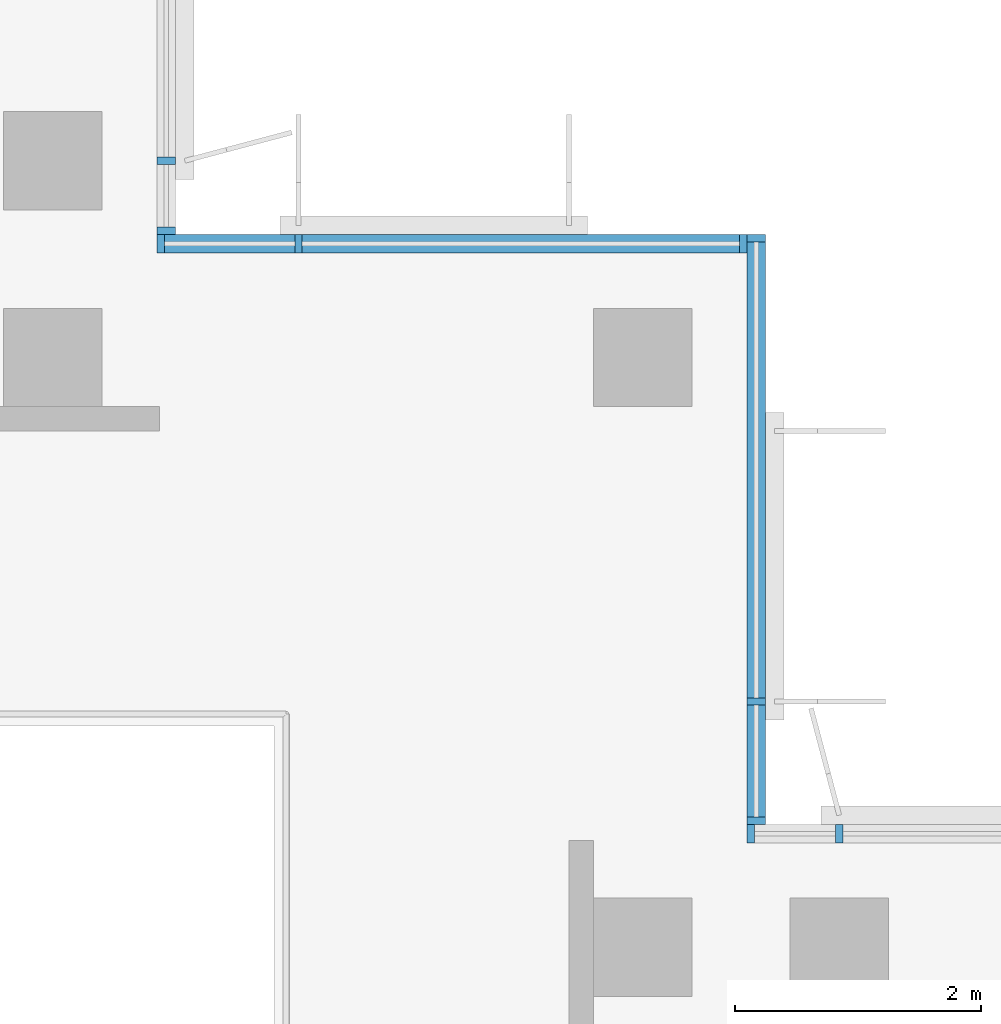
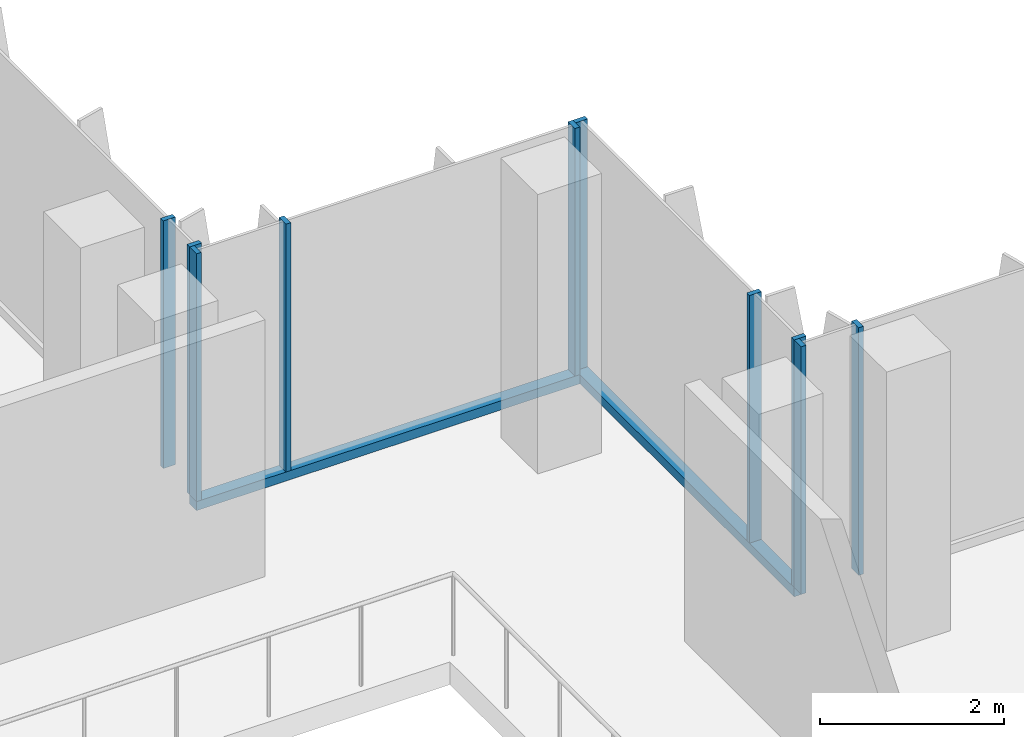
# One storey, part 2 of 15: 12 members, 4 elements without a shape of their own.
"""IFC4 building model written with IfcOpenShell, lengths in metres."""

from ifc_helpers import new_model, si_unit, direction, frame, origin, origin_2d, place, context, subcontext, project, spatial, rectangle, extrude, source, transform, mapped, material, material_profile, profile_set, type_object, element, aggregate, save


model = new_model("IFC4")

# Units and contexts
model_context = context("Model", 3, precision=1e-05, world=origin(), true_north=direction((0.0, 1.0)))
body_context = subcontext(model_context, "Body", "Model", "MODEL_VIEW")
ifc_project = project(units=[si_unit("LENGTHUNIT", "METRE"), si_unit("AREAUNIT", "SQUARE_METRE"), si_unit("VOLUMEUNIT", "CUBIC_METRE"), si_unit("PLANEANGLEUNIT", "RADIAN"), si_unit("MASSUNIT", "GRAM", prefix="KILO")], contexts=[model_context])

# Site, building, storey
site_placement = place(None, origin())
site = spatial("IfcSite", under=ifc_project, at=site_placement, CompositionType="ELEMENT")
building_placement = place(site_placement, origin())
building = spatial("IfcBuilding", under=site, at=building_placement, Name="Kemantara Hotel Tower", CompositionType="ELEMENT")
storey_placement = place(building_placement, frame((0.0, 0.0, 237.60009765625)))
storey = spatial("IfcBuildingStorey", under=building, at=storey_placement, Name="L59", CompositionType="ELEMENT", Elevation=237.60009765625)

# Curtain wall, member
ifc_material_1 = material(Name="Low-E tinted double insulated glass 36 mm", Category="glass")
curtain_wall_type = type_object("IfcCurtainWallType", Name="TOWER CURTAIN WALL, FRONT FACES", PredefinedType="USERDEFINED", material=ifc_material_1)
curtain_wall_1_placement = place(storey_placement, origin())
curtain_wall_1 = element("IfcCurtainWall", 1, at=curtain_wall_1_placement, inside=storey, type_object=curtain_wall_type, Name="CW4 L59 T4-R13-1", ObjectType="TOWER CURTAIN WALL, FRONT FACES", PredefinedType="USERDEFINED")
ifc_material_2 = material(Name="Aluminium 6063-T6 bronze anodised", Category="aluminium")
ifc_material_profile_1 = material_profile(ifc_material_2, rectangle(XDim=0.14990234375, YDim=0.1201171875, at=origin_2d()), Name="TOWER CURTAIN WALL, FRONT FACES TRANSOM")
ifc_profile_set_1 = profile_set([ifc_material_profile_1], Name="Aluminium 6063-T6 bronze anodised")
member_type_1 = type_object("IfcMemberType", Name="TOWER CURTAIN WALL, FRONT FACES TRANSOM", PredefinedType="USERDEFINED", material=ifc_profile_set_1)
member_1_placement = place(storey_placement, frame((26.72509765625, 22.0, 0.059814453125), z_axis=(0.0, 1.0, 0.0), x_axis=(-1.0, 0.0, 0.0)))
member_1 = element("IfcMember", 2, at=member_1_placement, type_object=member_type_1, Name="CW4 sill transom T4-R13-1", ObjectType="TRANSOM", PredefinedType="USERDEFINED", context=body_context, shape_type="SweptSolid", body=[
    extrude(rectangle(XDim=0.14990234375, YDim=0.1201171875, at=origin_2d()), origin(), (0.0, 0.0, 1.0), 4.800048828125),
])

curtain_wall_2_placement = place(storey_placement, origin())
curtain_wall_2 = element("IfcCurtainWall", 3, at=curtain_wall_2_placement, inside=storey, type_object=curtain_wall_type, Name="CW4 L59 T4-R14-1", ObjectType="TOWER CURTAIN WALL, FRONT FACES", PredefinedType="USERDEFINED")
member_2_placement = place(storey_placement, frame((26.64990234375, 26.72509765625, 0.059814453125), z_axis=(-1.0, 0.0, 0.0), x_axis=(0.0, -1.0, 0.0)))
member_2 = element("IfcMember", 4, at=member_2_placement, type_object=member_type_1, Name="CW4 sill transom T4-R14-1", ObjectType="TRANSOM", PredefinedType="USERDEFINED", context=body_context, shape_type="SweptSolid", body=[
    extrude(rectangle(XDim=0.14990234375, YDim=0.1201171875, at=origin_2d()), origin(), (0.0, 0.0, 1.0), 4.7998046875),
])

# Curtain wall, members
curtain_wall_3_placement = place(storey_placement, origin())
curtain_wall_3 = element("IfcCurtainWall", 5, at=curtain_wall_3_placement, inside=storey, type_object=curtain_wall_type, Name="CW4 L59 T4-R12-1", ObjectType="TOWER CURTAIN WALL, FRONT FACES", PredefinedType="USERDEFINED")
ifc_material_profile_2 = material_profile(ifc_material_2, rectangle(XDim=0.14990234375, YDim=0.06005859375, at=origin_2d()), Name="TOWER CURTAIN WALL, FRONT FACES MULLION")
ifc_profile_set_2 = profile_set([ifc_material_profile_2], Name="Aluminium 6063-T6 bronze anodised")
member_type_2 = type_object("IfcMemberType", Name="TOWER CURTAIN WALL, FRONT FACES MULLION", PredefinedType="MULLION", material=ifc_profile_set_2)
shared_shape = source(origin(), body_context, "Body", "SweptSolid", [
    extrude(rectangle(XDim=0.14990234375, YDim=0.06005859375, at=origin_2d()), origin(), (0.0, 0.0, 1.0), 3.280029296875),
])
member_3_placement = place(storey_placement, frame((27.39990234375, 21.925048828125, 0.119873046875), z_axis=(0.0, 0.0, 1.0), x_axis=(0.0, -1.0, 0.0)))
member_3 = element("IfcMember", 6, at=member_3_placement, type_object=member_type_2, Name="CW4 mullion T4-R12-1.5", PredefinedType="MULLION", context=body_context, shape_type="MappedRepresentation", body=[
    mapped(shared_shape, transform((0.0, 0.0, 0.0))),
])
member_4_placement = place(storey_placement, frame((26.679931640625, 21.925048828125, 0.119873046875), z_axis=(0.0, 0.0, 1.0), x_axis=(0.0, -1.0, 0.0)))
member_4 = element("IfcMember", 7, at=member_4_placement, type_object=member_type_2, Name="CW4 mullion T4-R12-1.6", PredefinedType="MULLION", context=body_context, shape_type="MappedRepresentation", body=[
    mapped(shared_shape, transform((0.0, 0.0, 0.0))),
])
aggregate(curtain_wall_3, [member_3, member_4])

# Member
member_5_placement = place(storey_placement, frame((26.72509765625, 22.030029296875, 0.119873046875), z_axis=(0.0, 0.0, 1.0), x_axis=(-1.0, 0.0, 0.0)))
member_5 = element("IfcMember", 8, at=member_5_placement, type_object=member_type_2, Name="CW4 mullion T4-R13-1.1", PredefinedType="MULLION", context=body_context, shape_type="MappedRepresentation", body=[
    mapped(shared_shape, transform((0.0, 0.0, 0.0))),
])

member_6_placement = place(storey_placement, frame((26.72509765625, 23.0, 0.119873046875), z_axis=(0.0, 0.0, 1.0), x_axis=(-1.0, 0.0, 0.0)))
member_6 = element("IfcMember", 9, at=member_6_placement, type_object=member_type_2, Name="CW4 mullion T4-R13-1.2", PredefinedType="MULLION", context=body_context, shape_type="MappedRepresentation", body=[
    mapped(shared_shape, transform((0.0, 0.0, 0.0))),
])

member_7_placement = place(storey_placement, frame((26.72509765625, 26.77001953125, 0.119873046875), z_axis=(0.0, 0.0, 1.0), x_axis=(-1.0, 0.0, 0.0)))
member_7 = element("IfcMember", 10, at=member_7_placement, type_object=member_type_2, Name="CW4 mullion T4-R13-1.3", PredefinedType="MULLION", context=body_context, shape_type="MappedRepresentation", body=[
    mapped(shared_shape, transform((0.0, 0.0, 0.0))),
])

aggregate(curtain_wall_1, [member_1, member_5, member_6, member_7])

member_8_placement = place(storey_placement, frame((26.6201171875, 26.72509765625, 0.119873046875), z_axis=(0.0, 0.0, 1.0), x_axis=(0.0, -1.0, 0.0)))
member_8 = element("IfcMember", 11, at=member_8_placement, type_object=member_type_2, Name="CW4 mullion T4-R14-1.1", PredefinedType="MULLION", context=body_context, shape_type="MappedRepresentation", body=[
    mapped(shared_shape, transform((0.0, 0.0, 0.0))),
])

member_9_placement = place(storey_placement, frame((23.0, 26.72509765625, 0.119873046875), z_axis=(0.0, 0.0, 1.0), x_axis=(0.0, -1.0, 0.0)))
member_9 = element("IfcMember", 12, at=member_9_placement, type_object=member_type_2, Name="CW4 mullion T4-R14-1.2", PredefinedType="MULLION", context=body_context, shape_type="MappedRepresentation", body=[
    mapped(shared_shape, transform((0.0, 0.0, 0.0))),
])

member_10_placement = place(storey_placement, frame((21.8798828125, 26.72509765625, 0.119873046875), z_axis=(0.0, 0.0, 1.0), x_axis=(0.0, -1.0, 0.0)))
member_10 = element("IfcMember", 13, at=member_10_placement, type_object=member_type_2, Name="CW4 mullion T4-R14-1.3", PredefinedType="MULLION", context=body_context, shape_type="MappedRepresentation", body=[
    mapped(shared_shape, transform((0.0, 0.0, 0.0))),
])

aggregate(curtain_wall_2, [member_2, member_8, member_9, member_10])

# Curtain wall, members
curtain_wall_4_placement = place(storey_placement, origin())
curtain_wall_4 = element("IfcCurtainWall", 14, at=curtain_wall_4_placement, inside=storey, type_object=curtain_wall_type, Name="CW4 L59 T4-R15-1", ObjectType="TOWER CURTAIN WALL, FRONT FACES", PredefinedType="USERDEFINED")
member_11_placement = place(storey_placement, frame((21.925048828125, 26.830078125, 0.119873046875), z_axis=(0.0, 0.0, 1.0), x_axis=(-1.0, 0.0, 0.0)))
member_11 = element("IfcMember", 15, at=member_11_placement, type_object=member_type_2, Name="CW4 mullion T4-R15-1.1", PredefinedType="MULLION", context=body_context, shape_type="MappedRepresentation", body=[
    mapped(shared_shape, transform((0.0, 0.0, 0.0))),
])
member_12_placement = place(storey_placement, frame((21.925048828125, 27.39990234375, 0.119873046875), z_axis=(0.0, 0.0, 1.0), x_axis=(-1.0, 0.0, 0.0)))
member_12 = element("IfcMember", 16, at=member_12_placement, type_object=member_type_2, Name="CW4 mullion T4-R15-1.2", PredefinedType="MULLION", context=body_context, shape_type="MappedRepresentation", body=[
    mapped(shared_shape, transform((0.0, 0.0, 0.0))),
])
aggregate(curtain_wall_4, [member_11, member_12])

save(model, "model.ifc")
